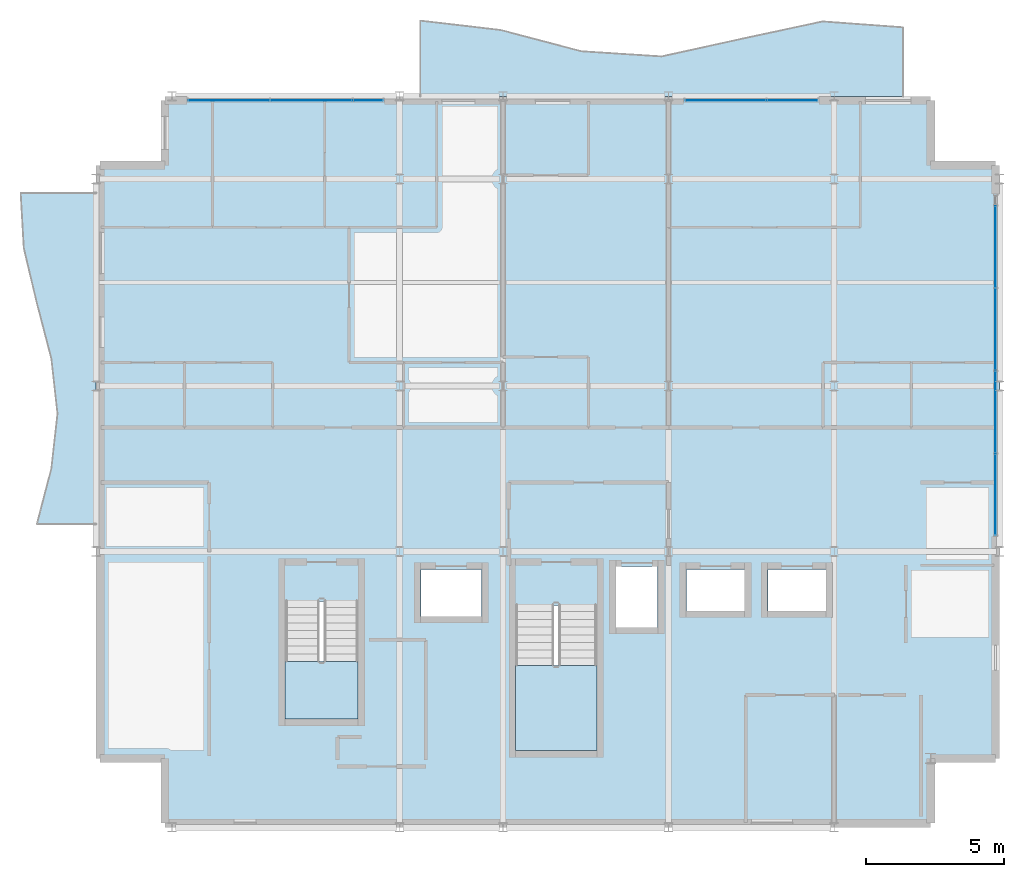
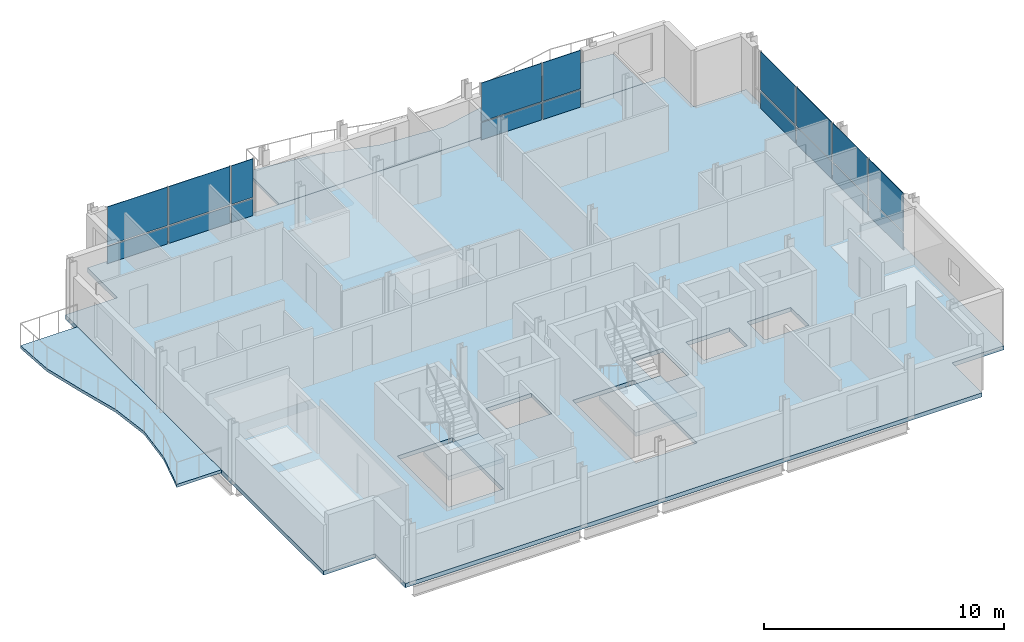
# One storey, part 6 of 12: 18 plates, 5 slabs, 5 elements without a shape of their own.
"""IFC4 building model written with IfcOpenShell, lengths in metres."""

from ifc_helpers import new_model, si_unit, direction, frame, origin, origin_2d, place, context, subcontext, project, spatial, polyline, rectangle, outline, extrude, material, layer, layer_set, type_object, element, aggregate, save


model = new_model("IFC4")

# Units and contexts
model_context = context("Model", 3, precision=1e-05, world=origin(), true_north=direction((0.0, 1.0)))
body_context = subcontext(model_context, "Body", "Model", "MODEL_VIEW")
ifc_project = project(units=[si_unit("LENGTHUNIT", "METRE"), si_unit("AREAUNIT", "SQUARE_METRE"), si_unit("VOLUMEUNIT", "CUBIC_METRE"), si_unit("PLANEANGLEUNIT", "RADIAN"), si_unit("MASSUNIT", "GRAM", prefix="KILO")], contexts=[model_context])

# Site, building, storey
site_placement = place(None, origin())
site = spatial("IfcSite", under=ifc_project, at=site_placement, CompositionType="ELEMENT")
building_placement = place(site_placement, origin())
building = spatial("IfcBuilding", under=site, at=building_placement, Name="Brevholm Reach", CompositionType="ELEMENT")
storey_placement = place(building_placement, frame((0.0, 0.0, 227.300048828125)))
storey = spatial("IfcBuildingStorey", under=building, at=storey_placement, Name="L69", CompositionType="ELEMENT", Elevation=227.300048828125)

# Curtain wall, plates
ifc_material_1 = material(Name="Dark Anodised Aluminium 6063-T6 and Solar-Control Glass", Category="aluminium")
ifc_layer_1 = layer(ifc_material_1, 0.14990234375)
ifc_layer_set_1 = layer_set([ifc_layer_1], Name="Dark Anodised Aluminium 6063-T6 and Solar-Control Glass")
curtain_wall_type = type_object("IfcCurtainWallType", Name="CW-01", PredefinedType="NOTDEFINED", material=ifc_layer_set_1)
curtain_wall_1_placement = place(storey_placement, origin())
curtain_wall_1 = element("IfcCurtainWall", 1, at=curtain_wall_1_placement, inside=storey, type_object=curtain_wall_type, Name="L69 Curtain Wall CW-01", PredefinedType="NOTDEFINED")
ifc_material_2 = material(Name="Dark Solar-Control Double-Glazed IGU Glass", Category="glass")
ifc_layer_2 = layer(ifc_material_2, 0.028076171875)
ifc_layer_set_2 = layer_set([ifc_layer_2], Name="Dark Solar-Control Double-Glazed IGU Glass")
plate_type = type_object("IfcPlateType", Name="CWP-GLZ-28", PredefinedType="CURTAIN_PANEL", material=ifc_layer_set_2)
plate_1_placement = place(storey_placement, frame((59.85009765625, 12.066162109375, 0.0), z_axis=(0.0, 0.0, 1.0), x_axis=(0.0, 1.0, 0.0)))
plate_1 = element("IfcPlate", 2, at=plate_1_placement, type_object=plate_type, Name="CP-01 Glazing Panel 1.1", PredefinedType="CURTAIN_PANEL", context=body_context, shape_type="SweptSolid", body=[
    extrude(rectangle(XDim=2.902587890625, YDim=0.028076171875, at=origin_2d()), origin(), (0.0, 0.0, 1.0), 0.867431640625),
])
plate_2_placement = place(storey_placement, frame((59.85009765625, 12.066162109375, 0.932373046875), z_axis=(0.0, 0.0, 1.0), x_axis=(0.0, 1.0, 0.0)))
plate_2 = element("IfcPlate", 3, at=plate_2_placement, type_object=plate_type, Name="CP-01 Glazing Panel 1.2", PredefinedType="CURTAIN_PANEL", context=body_context, shape_type="SweptSolid", body=[
    extrude(rectangle(XDim=2.902587890625, YDim=0.028076171875, at=origin_2d()), origin(), (0.0, 0.0, 1.0), 1.95751953125),
])
plate_3_placement = place(storey_placement, frame((59.85009765625, 15.050048828125, 0.0), z_axis=(0.0, 0.0, 1.0), x_axis=(0.0, 1.0, 0.0)))
plate_3 = element("IfcPlate", 4, at=plate_3_placement, type_object=plate_type, Name="CP-01 Glazing Panel 2.1", PredefinedType="CURTAIN_PANEL", context=body_context, shape_type="SweptSolid", body=[
    extrude(rectangle(XDim=2.93505859375, YDim=0.028076171875, at=origin_2d()), origin(), (0.0, 0.0, 1.0), 0.867431640625),
])
plate_4_placement = place(storey_placement, frame((59.85009765625, 15.050048828125, 0.932373046875), z_axis=(0.0, 0.0, 1.0), x_axis=(0.0, 1.0, 0.0)))
plate_4 = element("IfcPlate", 5, at=plate_4_placement, type_object=plate_type, Name="CP-01 Glazing Panel 2.2", PredefinedType="CURTAIN_PANEL", context=body_context, shape_type="SweptSolid", body=[
    extrude(rectangle(XDim=2.93505859375, YDim=0.028076171875, at=origin_2d()), origin(), (0.0, 0.0, 1.0), 1.95751953125),
])
plate_5_placement = place(storey_placement, frame((59.85009765625, 18.050048828125, 0.0), z_axis=(0.0, 0.0, 1.0), x_axis=(0.0, 1.0, 0.0)))
plate_5 = element("IfcPlate", 6, at=plate_5_placement, type_object=plate_type, Name="CP-01 Glazing Panel 3.1", PredefinedType="CURTAIN_PANEL", context=body_context, shape_type="SweptSolid", body=[
    extrude(rectangle(XDim=2.93505859375, YDim=0.028076171875, at=origin_2d()), origin(), (0.0, 0.0, 1.0), 0.867431640625),
])
plate_6_placement = place(storey_placement, frame((59.85009765625, 18.050048828125, 0.932373046875), z_axis=(0.0, 0.0, 1.0), x_axis=(0.0, 1.0, 0.0)))
plate_6 = element("IfcPlate", 7, at=plate_6_placement, type_object=plate_type, Name="CP-01 Glazing Panel 3.2", PredefinedType="CURTAIN_PANEL", context=body_context, shape_type="SweptSolid", body=[
    extrude(rectangle(XDim=2.93505859375, YDim=0.028076171875, at=origin_2d()), origin(), (0.0, 0.0, 1.0), 1.95751953125),
])
plate_7_placement = place(storey_placement, frame((59.85009765625, 21.050048828125, 0.0), z_axis=(0.0, 0.0, 1.0), x_axis=(0.0, 1.0, 0.0)))
plate_7 = element("IfcPlate", 8, at=plate_7_placement, type_object=plate_type, Name="CP-01 Glazing Panel 4.1", PredefinedType="CURTAIN_PANEL", context=body_context, shape_type="SweptSolid", body=[
    extrude(rectangle(XDim=2.93505859375, YDim=0.028076171875, at=origin_2d()), origin(), (0.0, 0.0, 1.0), 0.867431640625),
])
plate_8_placement = place(storey_placement, frame((59.85009765625, 21.050048828125, 0.932373046875), z_axis=(0.0, 0.0, 1.0), x_axis=(0.0, 1.0, 0.0)))
plate_8 = element("IfcPlate", 9, at=plate_8_placement, type_object=plate_type, Name="CP-01 Glazing Panel 4.2", PredefinedType="CURTAIN_PANEL", context=body_context, shape_type="SweptSolid", body=[
    extrude(rectangle(XDim=2.93505859375, YDim=0.028076171875, at=origin_2d()), origin(), (0.0, 0.0, 1.0), 1.95751953125),
])
aggregate(curtain_wall_1, [plate_1, plate_2, plate_3, plate_4, plate_5, plate_6, plate_7, plate_8])

curtain_wall_2_placement = place(storey_placement, origin())
curtain_wall_2 = element("IfcCurtainWall", 10, at=curtain_wall_2_placement, inside=storey, type_object=curtain_wall_type, Name="L69 Curtain Wall CW-01", PredefinedType="NOTDEFINED")
plate_9_placement = place(storey_placement, frame((32.066162109375, 26.35009765625, 0.0), z_axis=(0.0, 0.0, 1.0), x_axis=(1.0, 0.0, 0.0)))
plate_9 = element("IfcPlate", 11, at=plate_9_placement, type_object=plate_type, Name="CP-01 Glazing Panel 1.1", PredefinedType="CURTAIN_PANEL", context=body_context, shape_type="SweptSolid", body=[
    extrude(rectangle(XDim=2.902587890625, YDim=0.028076171875, at=origin_2d()), origin(), (0.0, 0.0, 1.0), 0.867431640625),
])
plate_10_placement = place(storey_placement, frame((32.066162109375, 26.35009765625, 0.932373046875), z_axis=(0.0, 0.0, 1.0), x_axis=(1.0, 0.0, 0.0)))
plate_10 = element("IfcPlate", 12, at=plate_10_placement, type_object=plate_type, Name="CP-01 Glazing Panel 1.2", PredefinedType="CURTAIN_PANEL", context=body_context, shape_type="SweptSolid", body=[
    extrude(rectangle(XDim=2.902587890625, YDim=0.028076171875, at=origin_2d()), origin(), (0.0, 0.0, 1.0), 1.95751953125),
])
plate_11_placement = place(storey_placement, frame((35.050048828125, 26.35009765625, 0.0), z_axis=(0.0, 0.0, 1.0), x_axis=(1.0, 0.0, 0.0)))
plate_11 = element("IfcPlate", 13, at=plate_11_placement, type_object=plate_type, Name="CP-01 Glazing Panel 2.1", PredefinedType="CURTAIN_PANEL", context=body_context, shape_type="SweptSolid", body=[
    extrude(rectangle(XDim=2.93505859375, YDim=0.028076171875, at=origin_2d()), origin(), (0.0, 0.0, 1.0), 0.867431640625),
])
plate_12_placement = place(storey_placement, frame((35.050048828125, 26.35009765625, 0.932373046875), z_axis=(0.0, 0.0, 1.0), x_axis=(1.0, 0.0, 0.0)))
plate_12 = element("IfcPlate", 14, at=plate_12_placement, type_object=plate_type, Name="CP-01 Glazing Panel 2.2", PredefinedType="CURTAIN_PANEL", context=body_context, shape_type="SweptSolid", body=[
    extrude(rectangle(XDim=2.93505859375, YDim=0.028076171875, at=origin_2d()), origin(), (0.0, 0.0, 1.0), 1.95751953125),
])
plate_13_placement = place(storey_placement, frame((37.108642578125, 26.35009765625, 0.0), z_axis=(0.0, 0.0, 1.0), x_axis=(1.0, 0.0, 0.0)))
plate_13 = element("IfcPlate", 15, at=plate_13_placement, type_object=plate_type, Name="CP-01 Glazing Panel 3.1", PredefinedType="CURTAIN_PANEL", context=body_context, shape_type="SweptSolid", body=[
    extrude(rectangle(XDim=1.052490234375, YDim=0.028076171875, at=origin_2d()), origin(), (0.0, 0.0, 1.0), 0.867431640625),
])
plate_14_placement = place(storey_placement, frame((37.108642578125, 26.35009765625, 0.932373046875), z_axis=(0.0, 0.0, 1.0), x_axis=(1.0, 0.0, 0.0)))
plate_14 = element("IfcPlate", 16, at=plate_14_placement, type_object=plate_type, Name="CP-01 Glazing Panel 3.2", PredefinedType="CURTAIN_PANEL", context=body_context, shape_type="SweptSolid", body=[
    extrude(rectangle(XDim=1.052490234375, YDim=0.028076171875, at=origin_2d()), origin(), (0.0, 0.0, 1.0), 1.95751953125),
])
aggregate(curtain_wall_2, [plate_9, plate_10, plate_11, plate_12, plate_13, plate_14])

curtain_wall_3_placement = place(storey_placement, origin())
curtain_wall_3 = element("IfcCurtainWall", 17, at=curtain_wall_3_placement, inside=storey, type_object=curtain_wall_type, Name="L69 Curtain Wall CW-01", PredefinedType="NOTDEFINED")
plate_15_placement = place(storey_placement, frame((50.066162109375, 26.35009765625, 0.0), z_axis=(0.0, 0.0, 1.0), x_axis=(1.0, 0.0, 0.0)))
plate_15 = element("IfcPlate", 18, at=plate_15_placement, type_object=plate_type, Name="CP-01 Glazing Panel 1.1", PredefinedType="CURTAIN_PANEL", context=body_context, shape_type="SweptSolid", body=[
    extrude(rectangle(XDim=2.902587890625, YDim=0.028076171875, at=origin_2d()), origin(), (0.0, 0.0, 1.0), 0.867431640625),
])
plate_16_placement = place(storey_placement, frame((50.066162109375, 26.35009765625, 0.932373046875), z_axis=(0.0, 0.0, 1.0), x_axis=(1.0, 0.0, 0.0)))
plate_16 = element("IfcPlate", 19, at=plate_16_placement, type_object=plate_type, Name="CP-01 Glazing Panel 1.2", PredefinedType="CURTAIN_PANEL", context=body_context, shape_type="SweptSolid", body=[
    extrude(rectangle(XDim=2.902587890625, YDim=0.028076171875, at=origin_2d()), origin(), (0.0, 0.0, 1.0), 1.95751953125),
])
plate_17_placement = place(storey_placement, frame((52.483642578125, 26.35009765625, 0.0), z_axis=(0.0, 0.0, 1.0), x_axis=(1.0, 0.0, 0.0)))
plate_17 = element("IfcPlate", 20, at=plate_17_placement, type_object=plate_type, Name="CP-01 Glazing Panel 2.1", PredefinedType="CURTAIN_PANEL", context=body_context, shape_type="SweptSolid", body=[
    extrude(rectangle(XDim=1.802490234375, YDim=0.028076171875, at=origin_2d()), origin(), (0.0, 0.0, 1.0), 0.867431640625),
])
plate_18_placement = place(storey_placement, frame((52.483642578125, 26.35009765625, 0.932373046875), z_axis=(0.0, 0.0, 1.0), x_axis=(1.0, 0.0, 0.0)))
plate_18 = element("IfcPlate", 21, at=plate_18_placement, type_object=plate_type, Name="CP-01 Glazing Panel 2.2", PredefinedType="CURTAIN_PANEL", context=body_context, shape_type="SweptSolid", body=[
    extrude(rectangle(XDim=1.802490234375, YDim=0.028076171875, at=origin_2d()), origin(), (0.0, 0.0, 1.0), 1.95751953125),
])
aggregate(curtain_wall_3, [plate_15, plate_16, plate_17, plate_18])

# Slabs
ifc_material_3 = material(Name="Precast Concrete C45/55", Category="concrete")
ifc_layer_3 = layer(ifc_material_3, 0.14990234375)
ifc_layer_set_3 = layer_set([ifc_layer_3], Name="Precast Concrete C45/55")
slab_type_1 = type_object("IfcSlabType", Name="SLB-BAL-150", PredefinedType="FLOOR", material=ifc_layer_set_3)
slab_1_placement = place(storey_placement, frame((0.0, 0.0, -0.150146484375)))
element("IfcSlab", 22, at=slab_1_placement, inside=storey, type_object=slab_type_1, Name="L69 Rippling External Balcony NE", PredefinedType="FLOOR", context=body_context, shape_type="SweptSolid", body=[
    extrude(outline(polyline([(39.0, 26.5), (56.5, 26.5), (56.5, 28.999755859375), (53.583251953125, 29.213134765625), (50.666748046875, 28.5869140625), (47.75, 27.94482421875), (44.833251953125, 28.132080078125), (41.916748046875, 28.902099609375), (39.0, 29.24169921875), (39.0, 26.5)])), origin(), (0.0, 0.0, 1.0), 0.150146484375),
])
slab_2_placement = place(storey_placement, frame((0.0, 0.0, -0.150146484375)))
element("IfcSlab", 23, at=slab_2_placement, inside=storey, type_object=slab_type_1, Name="L69 Rippling External Balcony SLOT", PredefinedType="FLOOR", context=body_context, shape_type="SweptSolid", body=[
    extrude(outline(polyline([(27.25, 11.0), (27.25, 23.0), (24.514892578125, 23.0), (24.62890625, 21.0), (25.1044921875, 19.0), (25.626708984375, 17.0), (25.85009765625, 15.0), (25.626708984375, 13.0), (25.1044921875, 11.0), (27.25, 11.0)])), origin(), (0.0, 0.0, 1.0), 0.150146484375),
])
ifc_material_4 = material(Name="Concrete C40/50", Category="concrete")
ifc_layer_4 = layer(ifc_material_4, 0.2099609375)
ifc_layer_set_4 = layer_set([ifc_layer_4], Name="Concrete C40/50")
slab_type_2 = type_object("IfcSlabType", Name="SLB-FL-210", PredefinedType="FLOOR", material=ifc_layer_set_4)
slab_3_placement = place(storey_placement, frame((0.0, 0.0, -0.2099609375)))
element("IfcSlab", 24, at=slab_3_placement, inside=storey, type_object=slab_type_2, Name="L69 Suspended Floor Slab (east-tower)", PredefinedType="FLOOR", context=body_context, shape_type="SweptSolid", body=[
    extrude(outline(polyline([(29.75, 0.0), (57.5, 0.0), (57.5, 2.5), (60.0, 2.5), (60.0, 24.0), (57.5, 24.0), (57.5, 26.5), (29.75, 26.5), (29.75, 24.0), (27.25, 24.0), (27.25, 2.5), (29.75, 2.5), (29.75, 0.0)]), holes=[polyline([(42.449951171875, 2.780029296875), (45.39990234375, 2.780029296875), (45.39990234375, 8.044921875), (42.449951171875, 8.044921875), (42.449951171875, 2.780029296875)]), polyline([(34.10009765625, 3.919921875), (36.75, 3.919921875), (36.75, 8.195068359375), (34.10009765625, 8.195068359375), (34.10009765625, 3.919921875)]), polyline([(46.10009765625, 7.25), (47.60009765625, 7.25), (47.60009765625, 9.449951171875), (46.10009765625, 9.449951171875), (46.10009765625, 7.25)]), polyline([(39.02001953125, 7.64990234375), (41.219970703125, 7.64990234375), (41.219970703125, 9.35009765625), (39.02001953125, 9.35009765625), (39.02001953125, 7.64990234375)]), polyline([(48.64990234375, 7.85009765625), (50.75, 7.85009765625), (50.75, 9.35009765625), (48.64990234375, 9.35009765625), (48.64990234375, 7.85009765625)]), polyline([(51.60009765625, 7.85009765625), (53.699951171875, 7.85009765625), (53.699951171875, 9.35009765625), (51.60009765625, 9.35009765625), (51.60009765625, 7.85009765625)])]), origin(), (0.0, 0.0, 1.0), 0.2099609375),
])

# Stair, slab
ifc_material_5 = material(Name="Precast Concrete C40/50", Category="concrete")
stair_type_1 = type_object("IfcStairType", Name="STR-ESC-1400", PredefinedType="DOUBLE_RETURN_STAIR", material=ifc_material_5)
stair_1_placement = place(storey_placement, origin())
stair_1 = element("IfcStair", 25, at=stair_1_placement, inside=storey, type_object=stair_type_1, Name="L69 ST-2", PredefinedType="DOUBLE_RETURN_STAIR")
ifc_material_6 = material(Name="Concrete C40/50", Category="concrete")
ifc_layer_5 = layer(ifc_material_6, 0.199951171875)
ifc_layer_set_5 = layer_set([ifc_layer_5], Name="Concrete C40/50")
slab_type_3 = type_object("IfcSlabType", Name="SLB-LND-200", PredefinedType="LANDING", material=ifc_layer_set_5)
slab_4_placement = place(storey_placement, frame((0.0, 0.0, 1.349853515625)))
slab_4 = element("IfcSlab", 26, at=slab_4_placement, type_object=slab_type_3, Name="ST-2 landing 1", PredefinedType="LANDING", context=body_context, shape_type="SweptSolid", body=[
    extrude(outline(polyline([(42.449951171875, 5.860107421875), (42.449951171875, 2.780029296875), (45.39990234375, 2.780029296875), (45.39990234375, 5.860107421875), (42.449951171875, 5.860107421875)])), origin(), (0.0, 0.0, 1.0), 0.2001953125),
])
aggregate(stair_1, [slab_4])

ifc_material_7 = material(Name="Precast Concrete C40/50", Category="concrete")
stair_type_2 = type_object("IfcStairType", Name="STR-ESC-1250", PredefinedType="DOUBLE_RETURN_STAIR", material=ifc_material_7)
stair_2_placement = place(storey_placement, origin())
stair_2 = element("IfcStair", 27, at=stair_2_placement, inside=storey, type_object=stair_type_2, Name="L69 ST-3", PredefinedType="DOUBLE_RETURN_STAIR")
slab_5_placement = place(storey_placement, frame((0.0, 0.0, 1.349853515625)))
slab_5 = element("IfcSlab", 28, at=slab_5_placement, type_object=slab_type_3, Name="ST-3 landing 1", PredefinedType="LANDING", context=body_context, shape_type="SweptSolid", body=[
    extrude(outline(polyline([(34.10009765625, 6.010009765625), (34.10009765625, 3.919921875), (36.75, 3.919921875), (36.75, 6.010009765625), (34.10009765625, 6.010009765625)])), origin(), (0.0, 0.0, 1.0), 0.2001953125),
])
aggregate(stair_2, [slab_5])

save(model, "model.ifc")
